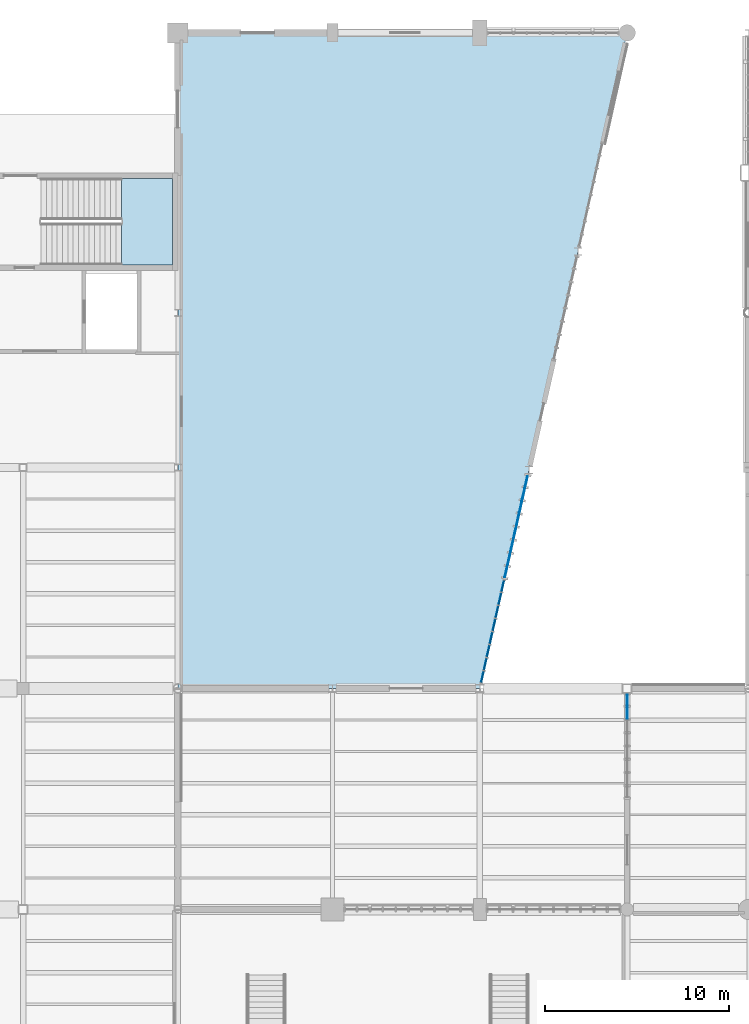
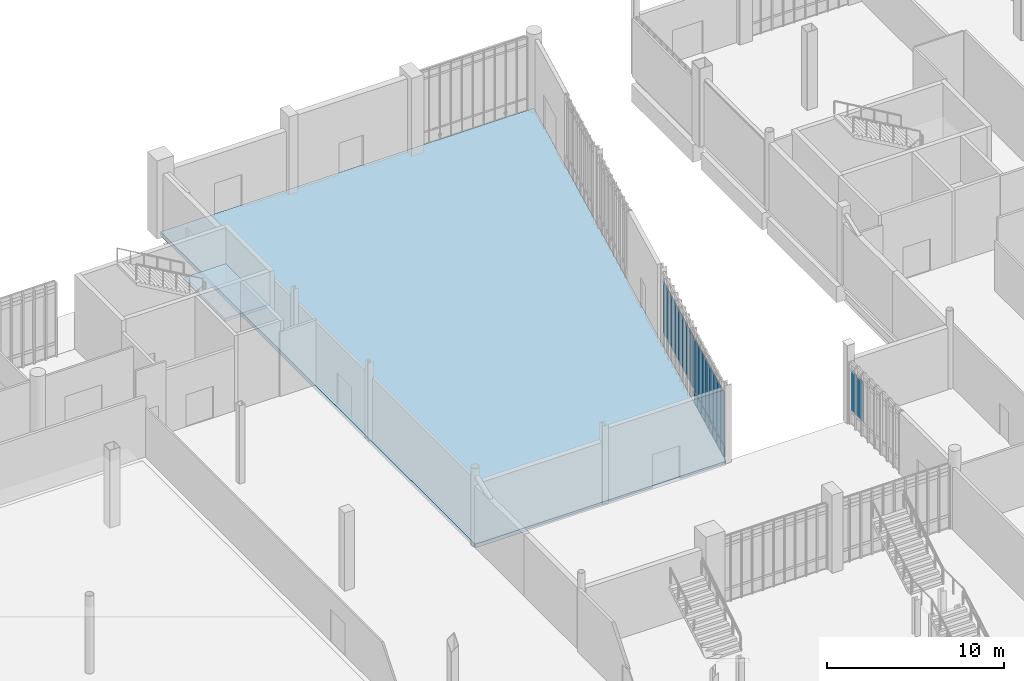
# One storey, part 66 of 111: 26 plates, 2 slabs, 4 elements without a shape of their own.
"""IFC4 building model written with IfcOpenShell, lengths in metres."""

from ifc_helpers import new_model, si_unit, direction, frame, origin, origin_2d, place, context, subcontext, project, spatial, polyline, rectangle, outline, extrude, material, layer, layer_set, type_object, element, aggregate, save


model = new_model("IFC4")

# Units and contexts
model_context = context("Model", 3, precision=1e-05, world=origin(), true_north=direction((0.0, 1.0)))
body_context = subcontext(model_context, "Body", "Model", "MODEL_VIEW")
ifc_project = project(units=[si_unit("LENGTHUNIT", "METRE"), si_unit("AREAUNIT", "SQUARE_METRE"), si_unit("VOLUMEUNIT", "CUBIC_METRE"), si_unit("PLANEANGLEUNIT", "RADIAN"), si_unit("MASSUNIT", "GRAM", prefix="KILO")], contexts=[model_context])

# Site, building, storey
site_placement = place(None, origin())
site = spatial("IfcSite", under=ifc_project, at=site_placement, CompositionType="ELEMENT")
building_placement = place(site_placement, origin())
building = spatial("IfcBuilding", under=site, at=building_placement, Name="Larkvane Passage Sports Hall", CompositionType="ELEMENT")
storey_placement = place(building_placement, origin())
storey = spatial("IfcBuildingStorey", under=building, at=storey_placement, Name="L00", CompositionType="ELEMENT", Elevation=0.0)

# Curtain wall, plates
ifc_material_1 = material(Name="Thermally broken aluminium and low-E glazing", Category="aluminium")
curtain_wall_type_1 = type_object("IfcCurtainWallType", Name="CW-UNIT-COURT", PredefinedType="USERDEFINED", material=ifc_material_1)
curtain_wall_1_placement = place(storey_placement, origin())
curtain_wall_1 = element("IfcCurtainWall", 1, at=curtain_wall_1_placement, inside=storey, type_object=curtain_wall_type_1, Name="Curtain wall CW5-L00-016", ObjectType="UNITISED CURTAIN WALL", PredefinedType="USERDEFINED")
ifc_material_2 = material(Name="Insulated aluminium spandrel panel", Category="aluminium")
ifc_layer_1 = layer(ifc_material_2, 0.06494140625)
ifc_layer_set_1 = layer_set([ifc_layer_1], Name="Insulated aluminium spandrel panel")
plate_type_1 = type_object("IfcPlateType", Name="CWP-SPD-65", PredefinedType="CURTAIN_PANEL", material=ifc_layer_set_1)
plate_1_placement = place(storey_placement, frame((111.25048828125, 69.16455078125, 0.06494140625), z_axis=(0.0, 0.0, 1.0), x_axis=(-0.219261072284, -0.975666224782, 0.0)))
plate_1 = element("IfcPlate", 2, at=plate_1_placement, type_object=plate_type_1, Name="CW-01 panel 1.1", PredefinedType="CURTAIN_PANEL", context=body_context, shape_type="SweptSolid", body=[
    extrude(rectangle(XDim=0.6298828125, YDim=0.06494140625, at=origin_2d()), origin(), (0.0, 0.0, 1.0), 0.75244140625),
])
plate_2_placement = place(storey_placement, frame((111.0947265625, 68.470947265625, 0.06494140625), z_axis=(0.0, 0.0, 1.0), x_axis=(-0.219261072284, -0.975666224782, 0.0)))
plate_2 = element("IfcPlate", 3, at=plate_2_placement, type_object=plate_type_1, Name="CW-01 panel 2.1", PredefinedType="CURTAIN_PANEL", context=body_context, shape_type="SweptSolid", body=[
    extrude(rectangle(XDim=0.662353515625, YDim=0.06494140625, at=origin_2d()), origin(), (0.0, 0.0, 1.0), 0.75244140625),
])
plate_3_placement = place(storey_placement, frame((110.93505859375, 67.761474609375, 0.06494140625), z_axis=(0.0, 0.0, 1.0), x_axis=(-0.219261072284, -0.975666224782, 0.0)))
plate_3 = element("IfcPlate", 4, at=plate_3_placement, type_object=plate_type_1, Name="CW-01 panel 3.1", PredefinedType="CURTAIN_PANEL", context=body_context, shape_type="SweptSolid", body=[
    extrude(rectangle(XDim=0.662353515625, YDim=0.06494140625, at=origin_2d()), origin(), (0.0, 0.0, 1.0), 0.75244140625),
])
plate_4_placement = place(storey_placement, frame((110.775634765625, 67.0517578125, 0.06494140625), z_axis=(0.0, 0.0, 1.0), x_axis=(-0.219261072284, -0.975666224782, 0.0)))
plate_4 = element("IfcPlate", 5, at=plate_4_placement, type_object=plate_type_1, Name="CW-01 panel 4.1", PredefinedType="CURTAIN_PANEL", context=body_context, shape_type="SweptSolid", body=[
    extrude(rectangle(XDim=0.662353515625, YDim=0.06494140625, at=origin_2d()), origin(), (0.0, 0.0, 1.0), 0.75244140625),
])
plate_5_placement = place(storey_placement, frame((110.6162109375, 66.34228515625, 0.06494140625), z_axis=(0.0, 0.0, 1.0), x_axis=(-0.219261072284, -0.975666224782, 0.0)))
plate_5 = element("IfcPlate", 6, at=plate_5_placement, type_object=plate_type_1, Name="CW-01 panel 5.1", PredefinedType="CURTAIN_PANEL", context=body_context, shape_type="SweptSolid", body=[
    extrude(rectangle(XDim=0.662353515625, YDim=0.06494140625, at=origin_2d()), origin(), (0.0, 0.0, 1.0), 0.75244140625),
])
plate_6_placement = place(storey_placement, frame((110.456787109375, 65.632568359375, 0.06494140625), z_axis=(0.0, 0.0, 1.0), x_axis=(-0.219261072284, -0.975666224782, 0.0)))
plate_6 = element("IfcPlate", 7, at=plate_6_placement, type_object=plate_type_1, Name="CW-01 panel 6.1", PredefinedType="CURTAIN_PANEL", context=body_context, shape_type="SweptSolid", body=[
    extrude(rectangle(XDim=0.662353515625, YDim=0.06494140625, at=origin_2d()), origin(), (0.0, 0.0, 1.0), 0.75244140625),
])
plate_7_placement = place(storey_placement, frame((110.29736328125, 64.923095703125, 0.06494140625), z_axis=(0.0, 0.0, 1.0), x_axis=(-0.219261072284, -0.975666224782, 0.0)))
plate_7 = element("IfcPlate", 8, at=plate_7_placement, type_object=plate_type_1, Name="CW-01 panel 7.1", PredefinedType="CURTAIN_PANEL", context=body_context, shape_type="SweptSolid", body=[
    extrude(rectangle(XDim=0.662353515625, YDim=0.06494140625, at=origin_2d()), origin(), (0.0, 0.0, 1.0), 0.75244140625),
])
plate_8_placement = place(storey_placement, frame((110.141357421875, 64.229248046875, 0.06494140625), z_axis=(0.0, 0.0, 1.0), x_axis=(-0.219261072284, -0.975666224782, 0.0)))
plate_8 = element("IfcPlate", 9, at=plate_8_placement, type_object=plate_type_1, Name="CW-01 panel 8.1", PredefinedType="CURTAIN_PANEL", context=body_context, shape_type="SweptSolid", body=[
    extrude(rectangle(XDim=0.6298828125, YDim=0.06494140625, at=origin_2d()), origin(), (0.0, 0.0, 1.0), 0.75244140625),
])
ifc_material_3 = material(Name="Solar-control low-E double glazing", Category="glass")
ifc_layer_2 = layer(ifc_material_3, 0.028076171875)
ifc_layer_set_2 = layer_set([ifc_layer_2], Name="Solar-control low-E double glazing")
plate_type_2 = type_object("IfcPlateType", Name="CWP-VIS-28", PredefinedType="CURTAIN_PANEL", material=ifc_layer_set_2)
plate_9_placement = place(storey_placement, frame((111.25048828125, 69.16455078125, 0.88232421875), z_axis=(0.0, 0.0, 1.0), x_axis=(-0.219261072284, -0.975666224782, 0.0)))
plate_9 = element("IfcPlate", 10, at=plate_9_placement, type_object=plate_type_2, Name="CW-01 panel 1.2", PredefinedType="CURTAIN_PANEL", context=body_context, shape_type="SweptSolid", body=[
    extrude(rectangle(XDim=0.6298828125, YDim=0.028076171875, at=origin_2d()), origin(), (0.0, 0.0, 1.0), 3.635009765625),
])
plate_10_placement = place(storey_placement, frame((111.0947265625, 68.470947265625, 0.88232421875), z_axis=(0.0, 0.0, 1.0), x_axis=(-0.219261072284, -0.975666224782, 0.0)))
plate_10 = element("IfcPlate", 11, at=plate_10_placement, type_object=plate_type_2, Name="CW-01 panel 2.2", PredefinedType="CURTAIN_PANEL", context=body_context, shape_type="SweptSolid", body=[
    extrude(rectangle(XDim=0.662353515625, YDim=0.028076171875, at=origin_2d()), origin(), (0.0, 0.0, 1.0), 3.635009765625),
])
plate_11_placement = place(storey_placement, frame((110.93505859375, 67.761474609375, 0.88232421875), z_axis=(0.0, 0.0, 1.0), x_axis=(-0.219261072284, -0.975666224782, 0.0)))
plate_11 = element("IfcPlate", 12, at=plate_11_placement, type_object=plate_type_2, Name="CW-01 panel 3.2", PredefinedType="CURTAIN_PANEL", context=body_context, shape_type="SweptSolid", body=[
    extrude(rectangle(XDim=0.662353515625, YDim=0.028076171875, at=origin_2d()), origin(), (0.0, 0.0, 1.0), 3.635009765625),
])
plate_12_placement = place(storey_placement, frame((110.775634765625, 67.0517578125, 0.88232421875), z_axis=(0.0, 0.0, 1.0), x_axis=(-0.219261072284, -0.975666224782, 0.0)))
plate_12 = element("IfcPlate", 13, at=plate_12_placement, type_object=plate_type_2, Name="CW-01 panel 4.2", PredefinedType="CURTAIN_PANEL", context=body_context, shape_type="SweptSolid", body=[
    extrude(rectangle(XDim=0.662353515625, YDim=0.028076171875, at=origin_2d()), origin(), (0.0, 0.0, 1.0), 3.635009765625),
])
plate_13_placement = place(storey_placement, frame((110.6162109375, 66.34228515625, 0.88232421875), z_axis=(0.0, 0.0, 1.0), x_axis=(-0.219261072284, -0.975666224782, 0.0)))
plate_13 = element("IfcPlate", 14, at=plate_13_placement, type_object=plate_type_2, Name="CW-01 panel 5.2", PredefinedType="CURTAIN_PANEL", context=body_context, shape_type="SweptSolid", body=[
    extrude(rectangle(XDim=0.662353515625, YDim=0.028076171875, at=origin_2d()), origin(), (0.0, 0.0, 1.0), 3.635009765625),
])
plate_14_placement = place(storey_placement, frame((110.456787109375, 65.632568359375, 0.88232421875), z_axis=(0.0, 0.0, 1.0), x_axis=(-0.219261072284, -0.975666224782, 0.0)))
plate_14 = element("IfcPlate", 15, at=plate_14_placement, type_object=plate_type_2, Name="CW-01 panel 6.2", PredefinedType="CURTAIN_PANEL", context=body_context, shape_type="SweptSolid", body=[
    extrude(rectangle(XDim=0.662353515625, YDim=0.028076171875, at=origin_2d()), origin(), (0.0, 0.0, 1.0), 3.635009765625),
])
plate_15_placement = place(storey_placement, frame((110.29736328125, 64.923095703125, 0.88232421875), z_axis=(0.0, 0.0, 1.0), x_axis=(-0.219261072284, -0.975666224782, 0.0)))
plate_15 = element("IfcPlate", 16, at=plate_15_placement, type_object=plate_type_2, Name="CW-01 panel 7.2", PredefinedType="CURTAIN_PANEL", context=body_context, shape_type="SweptSolid", body=[
    extrude(rectangle(XDim=0.662353515625, YDim=0.028076171875, at=origin_2d()), origin(), (0.0, 0.0, 1.0), 3.635009765625),
])
plate_16_placement = place(storey_placement, frame((110.141357421875, 64.229248046875, 0.88232421875), z_axis=(0.0, 0.0, 1.0), x_axis=(-0.219261072284, -0.975666224782, 0.0)))
plate_16 = element("IfcPlate", 17, at=plate_16_placement, type_object=plate_type_2, Name="CW-01 panel 8.2", PredefinedType="CURTAIN_PANEL", context=body_context, shape_type="SweptSolid", body=[
    extrude(rectangle(XDim=0.6298828125, YDim=0.028076171875, at=origin_2d()), origin(), (0.0, 0.0, 1.0), 3.635009765625),
])
aggregate(curtain_wall_1, [plate_1, plate_9, plate_2, plate_10, plate_3, plate_11, plate_4, plate_12, plate_5, plate_13, plate_6, plate_14, plate_7, plate_15, plate_8, plate_16])

curtain_wall_type_2 = type_object("IfcCurtainWallType", Name="CW-CLINIC", PredefinedType="USERDEFINED", material=ifc_material_1)
curtain_wall_2_placement = place(storey_placement, origin())
curtain_wall_2 = element("IfcCurtainWall", 18, at=curtain_wall_2_placement, inside=storey, type_object=curtain_wall_type_2, Name="Curtain wall CW5-L00-015", ObjectType="UNITISED CURTAIN WALL", PredefinedType="USERDEFINED")
ifc_material_4 = material(Name="Triple-laminated typhoon glazing", Category="glass")
ifc_layer_3 = layer(ifc_material_4, 0.0419921875)
ifc_layer_set_3 = layer_set([ifc_layer_3], Name="Triple-laminated typhoon glazing")
plate_type_3 = type_object("IfcPlateType", Name="CWP-VIS-42", PredefinedType="CURTAIN_PANEL", material=ifc_layer_set_3)
plate_17_placement = place(storey_placement, frame((112.52978515625, 74.85791015625, 0.90478515625), z_axis=(0.0, 0.0, 1.0), x_axis=(-0.219243647747, -0.975670140428, 0.0)))
plate_17 = element("IfcPlate", 19, at=plate_17_placement, type_object=plate_type_3, Name="CW-05 panel 1.2", PredefinedType="CURTAIN_PANEL", context=body_context, shape_type="SweptSolid", body=[
    extrude(rectangle(XDim=0.56591796875, YDim=0.0419921875, at=origin_2d()), origin(), (0.0, 0.0, 1.0), 3.590087890625),
])
plate_18_placement = place(storey_placement, frame((112.37548828125, 74.17138671875, 0.90478515625), z_axis=(0.0, 0.0, 1.0), x_axis=(-0.219243647747, -0.975670140428, 0.0)))
plate_18 = element("IfcPlate", 20, at=plate_18_placement, type_object=plate_type_3, Name="CW-05 panel 2.2", PredefinedType="CURTAIN_PANEL", context=body_context, shape_type="SweptSolid", body=[
    extrude(rectangle(XDim=0.62109375, YDim=0.0419921875, at=origin_2d()), origin(), (0.0, 0.0, 1.0), 3.590087890625),
])
plate_19_placement = place(storey_placement, frame((112.21533203125, 73.458251953125, 0.90478515625), z_axis=(0.0, 0.0, 1.0), x_axis=(-0.219243647747, -0.975670140428, 0.0)))
plate_19 = element("IfcPlate", 21, at=plate_19_placement, type_object=plate_type_3, Name="CW-05 panel 3.2", PredefinedType="CURTAIN_PANEL", context=body_context, shape_type="SweptSolid", body=[
    extrude(rectangle(XDim=0.62109375, YDim=0.0419921875, at=origin_2d()), origin(), (0.0, 0.0, 1.0), 3.590087890625),
])
plate_20_placement = place(storey_placement, frame((112.054931640625, 72.744873046875, 0.90478515625), z_axis=(0.0, 0.0, 1.0), x_axis=(-0.219243647747, -0.975670140428, 0.0)))
plate_20 = element("IfcPlate", 22, at=plate_20_placement, type_object=plate_type_3, Name="CW-05 panel 4.2", PredefinedType="CURTAIN_PANEL", context=body_context, shape_type="SweptSolid", body=[
    extrude(rectangle(XDim=0.62109375, YDim=0.0419921875, at=origin_2d()), origin(), (0.0, 0.0, 1.0), 3.590087890625),
])
plate_21_placement = place(storey_placement, frame((111.894775390625, 72.03173828125, 0.90478515625), z_axis=(0.0, 0.0, 1.0), x_axis=(-0.219243647747, -0.975670140428, 0.0)))
plate_21 = element("IfcPlate", 23, at=plate_21_placement, type_object=plate_type_3, Name="CW-05 panel 5.2", PredefinedType="CURTAIN_PANEL", context=body_context, shape_type="SweptSolid", body=[
    extrude(rectangle(XDim=0.62109375, YDim=0.0419921875, at=origin_2d()), origin(), (0.0, 0.0, 1.0), 3.590087890625),
])
plate_22_placement = place(storey_placement, frame((111.734375, 71.318359375, 0.90478515625), z_axis=(0.0, 0.0, 1.0), x_axis=(-0.219243647747, -0.975670140428, 0.0)))
plate_22 = element("IfcPlate", 24, at=plate_22_placement, type_object=plate_type_3, Name="CW-05 panel 6.2", PredefinedType="CURTAIN_PANEL", context=body_context, shape_type="SweptSolid", body=[
    extrude(rectangle(XDim=0.62109375, YDim=0.0419921875, at=origin_2d()), origin(), (0.0, 0.0, 1.0), 3.590087890625),
])
plate_23_placement = place(storey_placement, frame((111.57421875, 70.605224609375, 0.90478515625), z_axis=(0.0, 0.0, 1.0), x_axis=(-0.219243647747, -0.975670140428, 0.0)))
plate_23 = element("IfcPlate", 25, at=plate_23_placement, type_object=plate_type_3, Name="CW-05 panel 7.2", PredefinedType="CURTAIN_PANEL", context=body_context, shape_type="SweptSolid", body=[
    extrude(rectangle(XDim=0.62109375, YDim=0.0419921875, at=origin_2d()), origin(), (0.0, 0.0, 1.0), 3.590087890625),
])
plate_24_placement = place(storey_placement, frame((111.419921875, 69.918701171875, 0.90478515625), z_axis=(0.0, 0.0, 1.0), x_axis=(-0.219243647747, -0.975670140428, 0.0)))
plate_24 = element("IfcPlate", 26, at=plate_24_placement, type_object=plate_type_3, Name="CW-05 panel 8.2", PredefinedType="CURTAIN_PANEL", context=body_context, shape_type="SweptSolid", body=[
    extrude(rectangle(XDim=0.56591796875, YDim=0.0419921875, at=origin_2d()), origin(), (0.0, 0.0, 1.0), 3.590087890625),
])
aggregate(curtain_wall_2, [plate_17, plate_18, plate_19, plate_20, plate_21, plate_22, plate_23, plate_24])

curtain_wall_3_placement = place(storey_placement, origin())
curtain_wall_3 = element("IfcCurtainWall", 27, at=curtain_wall_3_placement, inside=storey, type_object=curtain_wall_type_2, Name="Curtain wall CW5-L00-019", ObjectType="UNITISED CURTAIN WALL", PredefinedType="USERDEFINED")
plate_25_placement = place(storey_placement, frame((118.0, 62.275146484375, 0.89990234375), z_axis=(0.0, 0.0, 1.0), x_axis=(0.0, 1.0, 0.0)))
plate_25 = element("IfcPlate", 28, at=plate_25_placement, type_object=plate_type_3, Name="CW-05 panel 7.2", PredefinedType="CURTAIN_PANEL", context=body_context, shape_type="SweptSolid", body=[
    extrude(rectangle(XDim=0.619140625, YDim=0.0419921875, at=origin_2d()), origin(), (0.0, 0.0, 1.0), 2.76806640625),
])
plate_26_placement = place(storey_placement, frame((118.0, 62.969482421875, 0.89990234375), z_axis=(0.0, 0.0, 1.0), x_axis=(0.0, 1.0, 0.0)))
plate_26 = element("IfcPlate", 29, at=plate_26_placement, type_object=plate_type_3, Name="CW-05 panel 8.2", PredefinedType="CURTAIN_PANEL", context=body_context, shape_type="SweptSolid", body=[
    extrude(rectangle(XDim=0.5693359375, YDim=0.0419921875, at=origin_2d()), origin(), (0.0, 0.0, 1.0), 2.76806640625),
])
aggregate(curtain_wall_3, [plate_25, plate_26])

# Slab
ifc_material_5 = material(Name="Concrete C40/50", Category="concrete")
ifc_layer_4 = layer(ifc_material_5, 0.27001953125)
ifc_layer_set_4 = layer_set([ifc_layer_4], Name="Concrete C40/50")
slab_type_1 = type_object("IfcSlabType", Name="SLB-FLR-270", PredefinedType="FLOOR", material=ifc_layer_set_4)
slab_1_placement = place(storey_placement, frame((0.0, 0.0, -0.27001953125)))
element("IfcSlab", 30, at=slab_1_placement, inside=storey, type_object=slab_type_1, Name="Structural floor slab SLAB-L00-V3", PredefinedType="FLOOR", context=body_context, shape_type="SweptSolid", body=[
    extrude(outline(polyline([(93.60009765625, 63.60009765625), (110.0, 63.60009765625), (118.0, 99.199951171875), (93.60009765625, 99.199951171875), (93.60009765625, 63.60009765625)])), origin(), (0.0, 0.0, 1.0), 0.27001953125),
])

# Stair, slab
stair_type = type_object("IfcStairType", Name="STR-CORE-2250", PredefinedType="HALF_TURN_STAIR", material=ifc_material_5)
stair_placement = place(storey_placement, origin())
stair = element("IfcStair", 31, at=stair_placement, inside=storey, type_object=stair_type, Name="L00 Protected exit stair ST-03", PredefinedType="HALF_TURN_STAIR")
ifc_layer_5 = layer(ifc_material_5, 0.199951171875)
ifc_layer_set_5 = layer_set([ifc_layer_5], Name="Concrete C40/50")
slab_type_2 = type_object("IfcSlabType", Name="SLB-LAND-200", PredefinedType="LANDING", material=ifc_layer_set_5)
slab_2_placement = place(storey_placement, frame((0.0, 0.0, 2.5)))
slab_2 = element("IfcSlab", 32, at=slab_2_placement, type_object=slab_type_2, Name="ST-03 landing 1", PredefinedType="LANDING", context=body_context, shape_type="SweptSolid", body=[
    extrude(outline(polyline([(90.530029296875, 86.60009765625), (93.300048828125, 86.60009765625), (93.300048828125, 91.300048828125), (90.530029296875, 91.300048828125), (90.530029296875, 86.60009765625)])), origin(), (0.0, 0.0, 1.0), 0.199951171875),
])
aggregate(stair, [slab_2])

save(model, "model.ifc")
